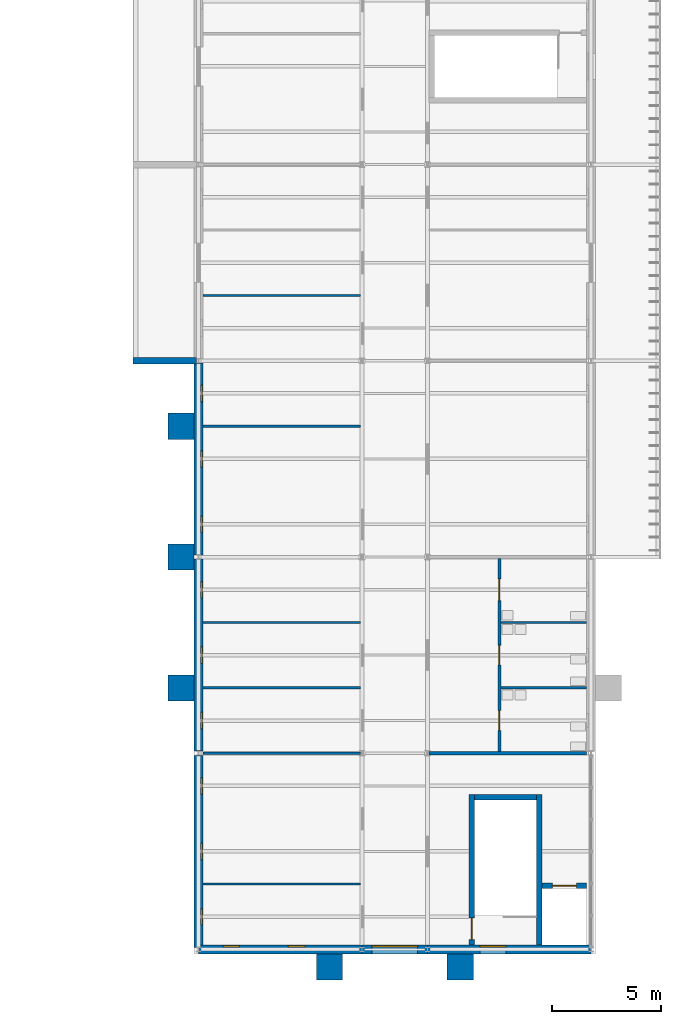
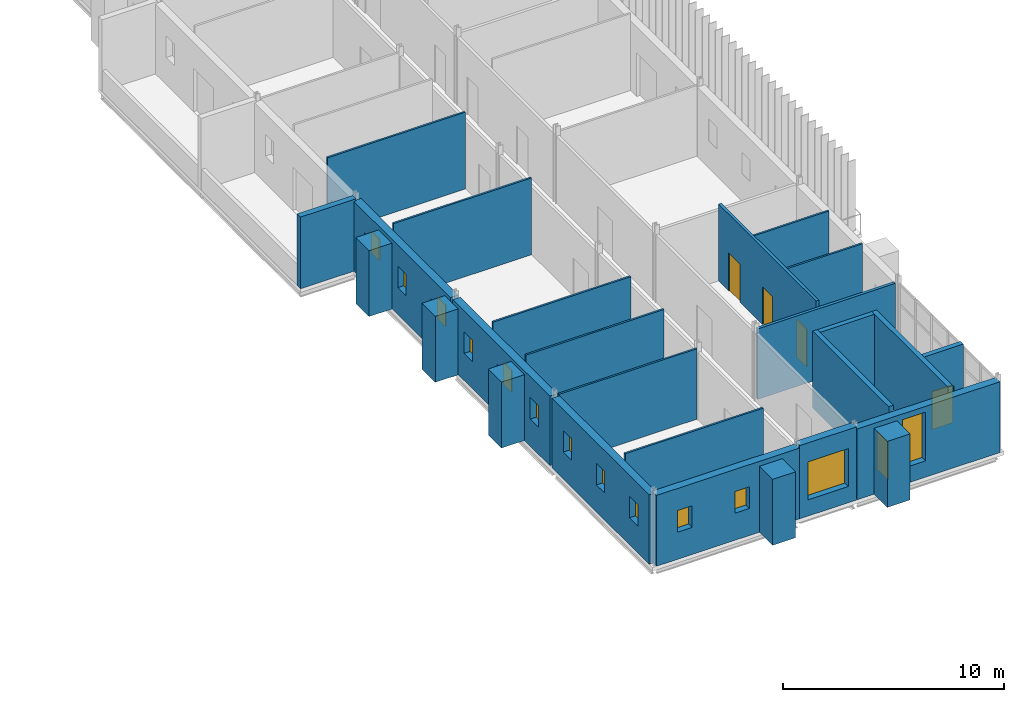
# One storey, part 90 of 131: 26 walls, 13 windows, 5 doors, 18 openings.
"""IFC4 building model written with IfcOpenShell, lengths in metres."""

from ifc_helpers import new_model, si_unit, direction, frame, frame_2d, origin, place, context, subcontext, project, spatial, rectangle, extrude, material, layer, layer_set, type_object, element, fill, save


model = new_model("IFC4")

# Units and contexts
model_context = context("Model", 3, precision=1e-05, world=origin(), true_north=direction((0.0, 1.0)))
body_context = subcontext(model_context, "Body", "Model", "MODEL_VIEW")
ifc_project = project(units=[si_unit("LENGTHUNIT", "METRE"), si_unit("AREAUNIT", "SQUARE_METRE"), si_unit("VOLUMEUNIT", "CUBIC_METRE"), si_unit("PLANEANGLEUNIT", "RADIAN"), si_unit("MASSUNIT", "GRAM", prefix="KILO")], contexts=[model_context])

# Site, building, storey
site_placement = place(None, origin())
site = spatial("IfcSite", under=ifc_project, at=site_placement, CompositionType="ELEMENT")
building_placement = place(site_placement, origin())
building = spatial("IfcBuilding", under=site, at=building_placement, Name="Golden Quay Civic Hall", CompositionType="ELEMENT")
storey_placement = place(building_placement, frame((0.0, 0.0, 9.89990234375)))
storey = spatial("IfcBuildingStorey", under=building, at=storey_placement, Name="L02", CompositionType="ELEMENT", Elevation=9.89990234375)

# Wall, openings, windows
ifc_material_1 = material(Name="Brick, dark clay facing", Category="masonry")
ifc_layer_1 = layer(ifc_material_1, 0.39990234375)
ifc_layer_set_1 = layer_set([ifc_layer_1], Name="Brick external wall 400")
wall_type_1 = type_object("IfcWallType", Name="Brick external wall 400", PredefinedType="STANDARD", material=ifc_layer_set_1)
wall_1_placement = place(storey_placement, frame((153.0, -8.905029296875, 0.0), z_axis=(0.0, 0.0, 1.0), x_axis=(0.0, 1.0, 0.0)))
wall_1 = element("IfcWall", 1, at=wall_1_placement, inside=storey, type_object=wall_type_1, Name="Brick external wall 400 L02 11", PredefinedType="STANDARD", context=body_context, shape_type="SweptSolid", body=[
    extrude(rectangle(XDim=8.81005859375, YDim=0.39990234375, at=frame_2d((4.405029296875, 0.0))), origin(), (0.0, 0.0, 1.0), 3.85009765625),
])
opening_1_placement = place(wall_1_placement, frame((1.030029296875, 0.0, 1.5)))
opening_1 = element("IfcOpeningElement", 2, at=opening_1_placement, cuts=wall_1, Name="Opening WN11", PredefinedType="OPENING", context=body_context, shape_type="SweptSolid", body=[
    extrude(rectangle(XDim=0.75, YDim=1.199951171875, at=frame_2d((0.375, 0.60009765625))), frame((0.0, 0.2099609375, 0.0), z_axis=(0.0, -1.0, 0.0), x_axis=(1.0, 0.0, 0.0)), (0.0, 0.0, 1.0), 0.419921875),
])
opening_2_placement = place(wall_1_placement, frame((4.030029296875, 0.0, 1.5)))
opening_2 = element("IfcOpeningElement", 3, at=opening_2_placement, cuts=wall_1, Name="Opening WN11", PredefinedType="OPENING", context=body_context, shape_type="SweptSolid", body=[
    extrude(rectangle(XDim=0.75, YDim=1.199951171875, at=frame_2d((0.375, 0.60009765625))), frame((0.0, 0.2099609375, 0.0), z_axis=(0.0, -1.0, 0.0), x_axis=(1.0, 0.0, 0.0)), (0.0, 0.0, 1.0), 0.419921875),
])
opening_3_placement = place(wall_1_placement, frame((7.030029296875, 0.0, 1.5)))
opening_3 = element("IfcOpeningElement", 4, at=opening_3_placement, cuts=wall_1, Name="Opening WN11", PredefinedType="OPENING", context=body_context, shape_type="SweptSolid", body=[
    extrude(rectangle(XDim=0.75, YDim=1.199951171875, at=frame_2d((0.375, 0.60009765625))), frame((0.0, 0.2099609375, 0.0), z_axis=(0.0, -1.0, 0.0), x_axis=(1.0, 0.0, 0.0)), (0.0, 0.0, 1.0), 0.419921875),
])
ifc_material_2 = material(Name="Aluminium frame, double glazed", Category="aluminium")
window_type_1 = type_object("IfcWindowType", Name="Attic pair window 750 x 1200", PartitioningType="SINGLE_PANEL", PredefinedType="WINDOW", material=ifc_material_2)
window_1_placement = place(opening_1_placement, origin())
window_1 = element("IfcWindow", 5, at=window_1_placement, inside=storey, type_object=window_type_1, Name="Attic pair window 750 x 1200 L02 1", OverallHeight=1.199951171875, OverallWidth=0.75, PartitioningType="SINGLE_PANEL", PredefinedType="WINDOW", context=body_context, shape_type="SweptSolid", body=[
    extrude(rectangle(XDim=0.75, YDim=1.199951171875, at=frame_2d((0.375, 0.60009765625))), frame((0.0, -0.119873046875, 0.0), z_axis=(0.0, -1.0, 0.0), x_axis=(1.0, 0.0, 0.0)), (0.0, 0.0, 1.0), 0.06005859375),
])
fill(opening_1, window_1)
window_2_placement = place(opening_2_placement, origin())
window_2 = element("IfcWindow", 6, at=window_2_placement, inside=storey, type_object=window_type_1, Name="Attic pair window 750 x 1200 L02 2", OverallHeight=1.199951171875, OverallWidth=0.75, PartitioningType="SINGLE_PANEL", PredefinedType="WINDOW", context=body_context, shape_type="SweptSolid", body=[
    extrude(rectangle(XDim=0.75, YDim=1.199951171875, at=frame_2d((0.375, 0.60009765625))), frame((0.0, -0.119873046875, 0.0), z_axis=(0.0, -1.0, 0.0), x_axis=(1.0, 0.0, 0.0)), (0.0, 0.0, 1.0), 0.06005859375),
])
fill(opening_2, window_2)
window_3_placement = place(opening_3_placement, origin())
window_3 = element("IfcWindow", 7, at=window_3_placement, inside=storey, type_object=window_type_1, Name="Attic pair window 750 x 1200 L02 3", OverallHeight=1.199951171875, OverallWidth=0.75, PartitioningType="SINGLE_PANEL", PredefinedType="WINDOW", context=body_context, shape_type="SweptSolid", body=[
    extrude(rectangle(XDim=0.75, YDim=1.199951171875, at=frame_2d((0.375, 0.60009765625))), frame((0.0, -0.119873046875, 0.0), z_axis=(0.0, -1.0, 0.0), x_axis=(1.0, 0.0, 0.0)), (0.0, 0.0, 1.0), 0.06005859375),
])
fill(opening_3, window_3)

wall_2_placement = place(storey_placement, frame((153.0, 0.094970703125, 0.0), z_axis=(0.0, 0.0, 1.0), x_axis=(0.0, 1.0, 0.0)))
wall_2 = element("IfcWall", 8, at=wall_2_placement, inside=storey, type_object=wall_type_1, Name="Brick external wall 400 L02 12", PredefinedType="STANDARD", context=body_context, shape_type="SweptSolid", body=[
    extrude(rectangle(XDim=8.81005859375, YDim=0.39990234375, at=frame_2d((4.405029296875, 0.0))), origin(), (0.0, 0.0, 1.0), 3.85009765625),
])
opening_4_placement = place(wall_2_placement, frame((1.030029296875, 0.0, 1.5)))
opening_4 = element("IfcOpeningElement", 9, at=opening_4_placement, cuts=wall_2, Name="Opening WN11", PredefinedType="OPENING", context=body_context, shape_type="SweptSolid", body=[
    extrude(rectangle(XDim=0.75, YDim=1.199951171875, at=frame_2d((0.375, 0.60009765625))), frame((0.0, 0.2099609375, 0.0), z_axis=(0.0, -1.0, 0.0), x_axis=(1.0, 0.0, 0.0)), (0.0, 0.0, 1.0), 0.419921875),
])
opening_5_placement = place(wall_2_placement, frame((4.030029296875, 0.0, 1.5)))
opening_5 = element("IfcOpeningElement", 10, at=opening_5_placement, cuts=wall_2, Name="Opening WN11", PredefinedType="OPENING", context=body_context, shape_type="SweptSolid", body=[
    extrude(rectangle(XDim=0.75, YDim=1.199951171875, at=frame_2d((0.375, 0.60009765625))), frame((0.0, 0.2099609375, 0.0), z_axis=(0.0, -1.0, 0.0), x_axis=(1.0, 0.0, 0.0)), (0.0, 0.0, 1.0), 0.419921875),
])
opening_6_placement = place(wall_2_placement, frame((7.030029296875, 0.0, 1.5)))
opening_6 = element("IfcOpeningElement", 11, at=opening_6_placement, cuts=wall_2, Name="Opening WN11", PredefinedType="OPENING", context=body_context, shape_type="SweptSolid", body=[
    extrude(rectangle(XDim=0.75, YDim=1.199951171875, at=frame_2d((0.375, 0.60009765625))), frame((0.0, 0.2099609375, 0.0), z_axis=(0.0, -1.0, 0.0), x_axis=(1.0, 0.0, 0.0)), (0.0, 0.0, 1.0), 0.419921875),
])
window_4_placement = place(opening_4_placement, origin())
window_4 = element("IfcWindow", 12, at=window_4_placement, inside=storey, type_object=window_type_1, Name="Attic pair window 750 x 1200 L02 4", OverallHeight=1.199951171875, OverallWidth=0.75, PartitioningType="SINGLE_PANEL", PredefinedType="WINDOW", context=body_context, shape_type="SweptSolid", body=[
    extrude(rectangle(XDim=0.75, YDim=1.199951171875, at=frame_2d((0.375, 0.60009765625))), frame((0.0, -0.119873046875, 0.0), z_axis=(0.0, -1.0, 0.0), x_axis=(1.0, 0.0, 0.0)), (0.0, 0.0, 1.0), 0.06005859375),
])
fill(opening_4, window_4)
window_5_placement = place(opening_5_placement, origin())
window_5 = element("IfcWindow", 13, at=window_5_placement, inside=storey, type_object=window_type_1, Name="Attic pair window 750 x 1200 L02 5", OverallHeight=1.199951171875, OverallWidth=0.75, PartitioningType="SINGLE_PANEL", PredefinedType="WINDOW", context=body_context, shape_type="SweptSolid", body=[
    extrude(rectangle(XDim=0.75, YDim=1.199951171875, at=frame_2d((0.375, 0.60009765625))), frame((0.0, -0.119873046875, 0.0), z_axis=(0.0, -1.0, 0.0), x_axis=(1.0, 0.0, 0.0)), (0.0, 0.0, 1.0), 0.06005859375),
])
fill(opening_5, window_5)
window_6_placement = place(opening_6_placement, origin())
window_6 = element("IfcWindow", 14, at=window_6_placement, inside=storey, type_object=window_type_1, Name="Attic pair window 750 x 1200 L02 6", OverallHeight=1.199951171875, OverallWidth=0.75, PartitioningType="SINGLE_PANEL", PredefinedType="WINDOW", context=body_context, shape_type="SweptSolid", body=[
    extrude(rectangle(XDim=0.75, YDim=1.199951171875, at=frame_2d((0.375, 0.60009765625))), frame((0.0, -0.119873046875, 0.0), z_axis=(0.0, -1.0, 0.0), x_axis=(1.0, 0.0, 0.0)), (0.0, 0.0, 1.0), 0.06005859375),
])
fill(opening_6, window_6)

wall_3_placement = place(storey_placement, frame((153.0, 9.094970703125, 0.0), z_axis=(0.0, 0.0, 1.0), x_axis=(0.0, 1.0, 0.0)))
wall_3 = element("IfcWall", 15, at=wall_3_placement, inside=storey, type_object=wall_type_1, Name="Brick external wall 400 L02 13", PredefinedType="STANDARD", context=body_context, shape_type="SweptSolid", body=[
    extrude(rectangle(XDim=8.81005859375, YDim=0.39990234375, at=frame_2d((4.405029296875, 0.0))), origin(), (0.0, 0.0, 1.0), 3.85009765625),
])
opening_7_placement = place(wall_3_placement, frame((1.030029296875, 0.0, 1.5)))
opening_7 = element("IfcOpeningElement", 16, at=opening_7_placement, cuts=wall_3, Name="Opening WN11", PredefinedType="OPENING", context=body_context, shape_type="SweptSolid", body=[
    extrude(rectangle(XDim=0.75, YDim=1.199951171875, at=frame_2d((0.375, 0.60009765625))), frame((0.0, 0.2099609375, 0.0), z_axis=(0.0, -1.0, 0.0), x_axis=(1.0, 0.0, 0.0)), (0.0, 0.0, 1.0), 0.419921875),
])
opening_8_placement = place(wall_3_placement, frame((4.030029296875, 0.0, 1.5)))
opening_8 = element("IfcOpeningElement", 17, at=opening_8_placement, cuts=wall_3, Name="Opening WN11", PredefinedType="OPENING", context=body_context, shape_type="SweptSolid", body=[
    extrude(rectangle(XDim=0.75, YDim=1.199951171875, at=frame_2d((0.375, 0.60009765625))), frame((0.0, 0.2099609375, 0.0), z_axis=(0.0, -1.0, 0.0), x_axis=(1.0, 0.0, 0.0)), (0.0, 0.0, 1.0), 0.419921875),
])
opening_9_placement = place(wall_3_placement, frame((7.030029296875, 0.0, 1.5)))
opening_9 = element("IfcOpeningElement", 18, at=opening_9_placement, cuts=wall_3, Name="Opening WN11", PredefinedType="OPENING", context=body_context, shape_type="SweptSolid", body=[
    extrude(rectangle(XDim=0.75, YDim=1.199951171875, at=frame_2d((0.375, 0.60009765625))), frame((0.0, 0.2099609375, 0.0), z_axis=(0.0, -1.0, 0.0), x_axis=(1.0, 0.0, 0.0)), (0.0, 0.0, 1.0), 0.419921875),
])
window_7_placement = place(opening_7_placement, origin())
window_7 = element("IfcWindow", 19, at=window_7_placement, inside=storey, type_object=window_type_1, Name="Attic pair window 750 x 1200 L02 7", OverallHeight=1.199951171875, OverallWidth=0.75, PartitioningType="SINGLE_PANEL", PredefinedType="WINDOW", context=body_context, shape_type="SweptSolid", body=[
    extrude(rectangle(XDim=0.75, YDim=1.199951171875, at=frame_2d((0.375, 0.60009765625))), frame((0.0, -0.119873046875, 0.0), z_axis=(0.0, -1.0, 0.0), x_axis=(1.0, 0.0, 0.0)), (0.0, 0.0, 1.0), 0.06005859375),
])
fill(opening_7, window_7)
window_8_placement = place(opening_8_placement, origin())
window_8 = element("IfcWindow", 20, at=window_8_placement, inside=storey, type_object=window_type_1, Name="Attic pair window 750 x 1200 L02 8", OverallHeight=1.199951171875, OverallWidth=0.75, PartitioningType="SINGLE_PANEL", PredefinedType="WINDOW", context=body_context, shape_type="SweptSolid", body=[
    extrude(rectangle(XDim=0.75, YDim=1.199951171875, at=frame_2d((0.375, 0.60009765625))), frame((0.0, -0.119873046875, 0.0), z_axis=(0.0, -1.0, 0.0), x_axis=(1.0, 0.0, 0.0)), (0.0, 0.0, 1.0), 0.06005859375),
])
fill(opening_8, window_8)
window_9_placement = place(opening_9_placement, origin())
window_9 = element("IfcWindow", 21, at=window_9_placement, inside=storey, type_object=window_type_1, Name="Attic pair window 750 x 1200 L02 9", OverallHeight=1.199951171875, OverallWidth=0.75, PartitioningType="SINGLE_PANEL", PredefinedType="WINDOW", context=body_context, shape_type="SweptSolid", body=[
    extrude(rectangle(XDim=0.75, YDim=1.199951171875, at=frame_2d((0.375, 0.60009765625))), frame((0.0, -0.119873046875, 0.0), z_axis=(0.0, -1.0, 0.0), x_axis=(1.0, 0.0, 0.0)), (0.0, 0.0, 1.0), 0.06005859375),
])
fill(opening_9, window_9)

wall_4_placement = place(storey_placement, frame((160.49169921875, -9.0, 0.0), z_axis=(0.0, 0.0, 1.0), x_axis=(-1.0, 0.0, 0.0)))
wall_4 = element("IfcWall", 22, at=wall_4_placement, inside=storey, type_object=wall_type_1, Name="Brick external wall 400 L02 24", PredefinedType="STANDARD", context=body_context, shape_type="SweptSolid", body=[
    extrude(rectangle(XDim=7.4833984375, YDim=0.39990234375, at=frame_2d((3.74169921875, 0.0))), origin(), (0.0, 0.0, 1.0), 3.920166015625),
])
opening_10_placement = place(wall_4_placement, frame((5.61669921875, 0.0, 1.5)))
opening_10 = element("IfcOpeningElement", 23, at=opening_10_placement, cuts=wall_4, Name="Opening WN11", PredefinedType="OPENING", context=body_context, shape_type="SweptSolid", body=[
    extrude(rectangle(XDim=0.75, YDim=1.199951171875, at=frame_2d((0.375, 0.60009765625))), frame((0.0, 0.2099609375, 0.0), z_axis=(0.0, -1.0, 0.0), x_axis=(1.0, 0.0, 0.0)), (0.0, 0.0, 1.0), 0.419921875),
])
opening_11_placement = place(wall_4_placement, frame((2.61669921875, 0.0, 1.5)))
opening_11 = element("IfcOpeningElement", 24, at=opening_11_placement, cuts=wall_4, Name="Opening WN11", PredefinedType="OPENING", context=body_context, shape_type="SweptSolid", body=[
    extrude(rectangle(XDim=0.75, YDim=1.199951171875, at=frame_2d((0.375, 0.60009765625))), frame((0.0, 0.2099609375, 0.0), z_axis=(0.0, -1.0, 0.0), x_axis=(1.0, 0.0, 0.0)), (0.0, 0.0, 1.0), 0.419921875),
])
window_10_placement = place(opening_10_placement, origin())
window_10 = element("IfcWindow", 25, at=window_10_placement, inside=storey, type_object=window_type_1, Name="Attic pair window 750 x 1200 L02 29", OverallHeight=1.199951171875, OverallWidth=0.75, PartitioningType="SINGLE_PANEL", PredefinedType="WINDOW", context=body_context, shape_type="SweptSolid", body=[
    extrude(rectangle(XDim=0.75, YDim=1.199951171875, at=frame_2d((0.375, 0.60009765625))), frame((0.0, -0.119873046875, 0.0), z_axis=(0.0, -1.0, 0.0), x_axis=(1.0, 0.0, 0.0)), (0.0, 0.0, 1.0), 0.06005859375),
])
fill(opening_10, window_10)
window_11_placement = place(opening_11_placement, origin())
window_11 = element("IfcWindow", 26, at=window_11_placement, inside=storey, type_object=window_type_1, Name="Attic pair window 750 x 1200 L02 30", OverallHeight=1.199951171875, OverallWidth=0.75, PartitioningType="SINGLE_PANEL", PredefinedType="WINDOW", context=body_context, shape_type="SweptSolid", body=[
    extrude(rectangle(XDim=0.75, YDim=1.199951171875, at=frame_2d((0.375, 0.60009765625))), frame((0.0, -0.119873046875, 0.0), z_axis=(0.0, -1.0, 0.0), x_axis=(1.0, 0.0, 0.0)), (0.0, 0.0, 1.0), 0.06005859375),
])
fill(opening_11, window_11)

# Wall, opening, window
wall_5_placement = place(storey_placement, frame((163.49169921875, -9.0, 0.0), z_axis=(0.0, 0.0, 1.0), x_axis=(-1.0, 0.0, 0.0)))
wall_5 = element("IfcWall", 27, at=wall_5_placement, inside=storey, type_object=wall_type_1, Name="Brick external wall 400 L02 25", PredefinedType="STANDARD", context=body_context, shape_type="SweptSolid", body=[
    extrude(rectangle(XDim=2.9833984375, YDim=0.39990234375, at=frame_2d((1.49169921875, 0.0))), origin(), (0.0, 0.0, 1.0), 4.050048828125),
])
opening_12_placement = place(wall_5_placement, frame((0.441650390625, 0.0, 0.89990234375)))
opening_12 = element("IfcOpeningElement", 28, at=opening_12_placement, cuts=wall_5, Name="Opening WN2", PredefinedType="OPENING", context=body_context, shape_type="SweptSolid", body=[
    extrude(rectangle(XDim=2.10009765625, YDim=2.10009765625, at=frame_2d((1.050048828125, 1.050048828125))), frame((0.0, 0.2099609375, 0.0), z_axis=(0.0, -1.0, 0.0), x_axis=(1.0, 0.0, 0.0)), (0.0, 0.0, 1.0), 0.419921875),
])
ifc_material_3 = material(Name="Aluminium frame, double glazed", Category="aluminium")
window_type_2 = type_object("IfcWindowType", Name="Corridor end window 2100 x 2100", PartitioningType="SINGLE_PANEL", PredefinedType="WINDOW", material=ifc_material_3)
window_12_placement = place(opening_12_placement, origin())
window_12 = element("IfcWindow", 29, at=window_12_placement, inside=storey, type_object=window_type_2, Name="Corridor end window 2100 x 2100 L02 6", OverallHeight=2.10009765625, OverallWidth=2.10009765625, PartitioningType="SINGLE_PANEL", PredefinedType="WINDOW", context=body_context, shape_type="SweptSolid", body=[
    extrude(rectangle(XDim=2.10009765625, YDim=2.10009765625, at=frame_2d((1.050048828125, 1.050048828125))), frame((0.0, -0.119873046875, 0.0), z_axis=(0.0, -1.0, 0.0), x_axis=(1.0, 0.0, 0.0)), (0.0, 0.0, 1.0), 0.06005859375),
])
fill(opening_12, window_12)

ifc_material_4 = material(Name="Brick, dark clay facing", Category="masonry")
ifc_layer_2 = layer(ifc_material_4, 0.39990234375)
ifc_layer_set_2 = layer_set([ifc_layer_2], Name="Brick external wall 400 fire EI 60")
wall_type_2 = type_object("IfcWallType", Name="Brick external wall 400 fire EI 60", PredefinedType="STANDARD", material=ifc_layer_set_2)
wall_6_placement = place(storey_placement, frame((170.99169921875, -9.0, 0.0), z_axis=(0.0, 0.0, 1.0), x_axis=(-1.0, 0.0, 0.0)))
wall_6 = element("IfcWall", 30, at=wall_6_placement, inside=storey, type_object=wall_type_2, Name="Brick external wall 400 fire EI 60 L02 5", PredefinedType="STANDARD", context=body_context, shape_type="SweptSolid", body=[
    extrude(rectangle(XDim=7.4833984375, YDim=0.39990234375, at=frame_2d((3.74169921875, 0.0))), origin(), (0.0, 0.0, 1.0), 3.920166015625),
])
opening_13_placement = place(wall_6_placement, frame((3.891845703125, 0.0, 0.89990234375)))
opening_13 = element("IfcOpeningElement", 31, at=opening_13_placement, cuts=wall_6, Name="Opening WN13", PredefinedType="OPENING", context=body_context, shape_type="SweptSolid", body=[
    extrude(rectangle(XDim=1.199951171875, YDim=2.699951171875, at=frame_2d((0.60009765625, 1.35009765625))), frame((0.0, 0.2099609375, 0.0), z_axis=(0.0, -1.0, 0.0), x_axis=(1.0, 0.0, 0.0)), (0.0, 0.0, 1.0), 0.419921875),
])
ifc_material_5 = material(Name="Aluminium frame, double glazed", Category="aluminium")
window_type_3 = type_object("IfcWindowType", Name="Stair light window 1200 x 2700", PartitioningType="SINGLE_PANEL", PredefinedType="WINDOW", material=ifc_material_5)
window_13_placement = place(opening_13_placement, origin())
window_13 = element("IfcWindow", 32, at=window_13_placement, inside=storey, type_object=window_type_3, Name="Stair light window 1200 x 2700 L02 4", OverallHeight=2.699951171875, OverallWidth=1.199951171875, PartitioningType="SINGLE_PANEL", PredefinedType="WINDOW", context=body_context, shape_type="SweptSolid", body=[
    extrude(rectangle(XDim=1.199951171875, YDim=2.699951171875, at=frame_2d((0.60009765625, 1.35009765625))), frame((0.0, -0.119873046875, 0.0), z_axis=(0.0, -1.0, 0.0), x_axis=(1.0, 0.0, 0.0)), (0.0, 0.0, 1.0), 0.06005859375),
])
fill(opening_13, window_13)

# Walls
ifc_material_6 = material(Name="Brick, dark clay facing", Category="masonry")
ifc_layer_3 = layer(ifc_material_6, 0.300048828125)
ifc_layer_set_3 = layer_set([ifc_layer_3], Name="Brick loggia wall 300")
wall_type_3 = type_object("IfcWallType", Name="Brick loggia wall 300", PredefinedType="STANDARD", material=ifc_layer_set_3)
wall_7_placement = place(storey_placement, frame((152.89990234375, 18.0, 0.0), z_axis=(0.0, 0.0, 1.0), x_axis=(-1.0, 0.0, 0.0)))
element("IfcWall", 33, at=wall_7_placement, inside=storey, type_object=wall_type_3, Name="Brick loggia wall 300 L02 6", PredefinedType="STANDARD", context=body_context, shape_type="SweptSolid", body=[
    extrude(rectangle(XDim=2.89990234375, YDim=0.300048828125, at=frame_2d((1.449951171875, 0.0))), origin(), (0.0, 0.0, 1.0), 3.97021484375),
])
ifc_material_7 = material(Name="Brick, dark clay facing", Category="masonry")
ifc_layer_4 = layer(ifc_material_7, 1.199951171875)
ifc_layer_set_4 = layer_set([ifc_layer_4], Name="Brick pilaster 1200 x 1200")
wall_type_4 = type_object("IfcWallType", Name="Brick pilaster 1200 x 1200", PredefinedType="STANDARD", material=ifc_layer_set_4)
for number, where, z_axis, x_axis, name in (
    (34, (152.199951171875, 2.39990234375, 0.0), (0.0, 0.0, 1.0), (0.0, 1.0, 0.0), "Brick pilaster 1200 x 1200 L02 6"),
    (35, (152.199951171875, 8.39990234375, 0.0), (0.0, 0.0, 1.0), (0.0, 1.0, 0.0), "Brick pilaster 1200 x 1200 L02 7"),
    (36, (152.199951171875, 14.39990234375, 0.0), (0.0, 0.0, 1.0), (0.0, 1.0, 0.0), "Brick pilaster 1200 x 1200 L02 8"),
    (37, (158.39990234375, -9.800048828125, 0.0), (0.0, 0.0, 1.0), (1.0, 0.0, 0.0), "Brick pilaster 1200 x 1200 L02 14"),
    (38, (164.39990234375, -9.800048828125, 0.0), (0.0, 0.0, 1.0), (1.0, 0.0, 0.0), "Brick pilaster 1200 x 1200 L02 15"),
):
    element("IfcWall", number, at=place(storey_placement, frame(where, z_axis=z_axis, x_axis=x_axis)), inside=storey, type_object=wall_type_4, Name=name, PredefinedType="STANDARD", context=body_context, shape_type="SweptSolid", body=[
        extrude(rectangle(XDim=1.2001953125, YDim=1.199951171875, at=frame_2d((0.60009765625, 0.0))), origin(), (0.0, 0.0, 1.0), 3.650146484375),
    ])
ifc_material_8 = material(Name="Concrete C40/50", Category="concrete")
ifc_layer_5 = layer(ifc_material_8, 0.25)
ifc_layer_set_5 = layer_set([ifc_layer_5], Name="Concrete core wall 250, Concrete C40/50")
wall_type_5 = type_object("IfcWallType", Name="Concrete core wall 250", PredefinedType="SHEAR", material=ifc_layer_set_5)
wall_8_placement = place(storey_placement, frame((168.625, -8.800048828125, 0.0), z_axis=(0.0, 0.0, 1.0), x_axis=(0.0, 1.0, 0.0)))
element("IfcWall", 39, at=wall_8_placement, inside=storey, type_object=wall_type_5, Name="Core wall EO-S-W1", PredefinedType="SHEAR", context=body_context, shape_type="SweptSolid", body=[
    extrude(rectangle(XDim=6.900146484375, YDim=0.25, at=frame_2d((3.4501953125, 0.0))), origin(), (0.0, 0.0, 1.0), 4.25),
])

# Wall, opening, door
wall_9_placement = place(storey_placement, frame((165.52490234375, -8.800048828125, 0.0), z_axis=(0.0, 0.0, 1.0), x_axis=(0.0, 1.0, 0.0)))
wall_9 = element("IfcWall", 40, at=wall_9_placement, inside=storey, type_object=wall_type_5, Name="Core wall EO-S-W2", PredefinedType="SHEAR", context=body_context, shape_type="SweptSolid", body=[
    extrude(rectangle(XDim=6.900146484375, YDim=0.25, at=frame_2d((3.4501953125, 0.0))), origin(), (0.0, 0.0, 1.0), 4.25),
])
opening_14_placement = place(wall_9_placement, frame((0.25, 0.0, 0.0)))
opening_14 = element("IfcOpeningElement", 41, at=opening_14_placement, cuts=wall_9, Name="Opening L02-D154", PredefinedType="OPENING", context=body_context, shape_type="SweptSolid", body=[
    extrude(rectangle(XDim=1.0, YDim=2.10009765625, at=frame_2d((0.5, 1.050048828125))), frame((0.0, 0.135009765625, 0.0), z_axis=(0.0, -1.0, 0.0), x_axis=(1.0, 0.0, 0.0)), (0.0, 0.0, 1.0), 0.27001953125),
])
ifc_material_9 = material(Name="Steel", Category="steel")
door_type_1 = type_object("IfcDoorType", Name="Steel fire door FD60 1000 x 2100", OperationType="SINGLE_SWING_LEFT", PredefinedType="DOOR", material=ifc_material_9)
door_1_placement = place(opening_14_placement, frame((1.0, 0.0, 0.0), z_axis=(0.0, 0.0, 1.0), x_axis=(-1.0, 0.0, 0.0)))
door_1 = element("IfcDoor", 42, at=door_1_placement, inside=storey, type_object=door_type_1, Name="Door L02-D154", OperationType="SINGLE_SWING_RIGHT", OverallHeight=2.10009765625, OverallWidth=1.0, PredefinedType="DOOR", context=body_context, shape_type="SweptSolid", body=[
    extrude(rectangle(XDim=1.0, YDim=2.10009765625, at=frame_2d((0.5, 1.050048828125))), frame((0.0, 0.025146484375, 0.0), z_axis=(0.0, -1.0, 0.0), x_axis=(1.0, 0.0, 0.0)), (0.0, 0.0, 1.0), 0.050048828125),
])
fill(opening_14, door_1)

# Wall
wall_10_placement = place(storey_placement, frame((165.64990234375, -2.02490234375, 0.0), z_axis=(0.0, 0.0, 1.0), x_axis=(1.0, 0.0, 0.0)))
element("IfcWall", 43, at=wall_10_placement, inside=storey, type_object=wall_type_5, Name="Core wall EO-S-W3", PredefinedType="SHEAR", context=body_context, shape_type="SweptSolid", body=[
    extrude(rectangle(XDim=2.85009765625, YDim=0.25, at=frame_2d((1.425048828125, 0.0))), origin(), (0.0, 0.0, 1.0), 4.25),
])

# Wall, opening, door
wall_11_placement = place(storey_placement, frame((168.75, -6.074951171875, 0.0), z_axis=(0.0, 0.0, 1.0), x_axis=(1.0, 0.0, 0.0)))
wall_11 = element("IfcWall", 44, at=wall_11_placement, inside=storey, type_object=wall_type_5, Name="Core wall EO-S-W4", PredefinedType="SHEAR", context=body_context, shape_type="SweptSolid", body=[
    extrude(rectangle(XDim=2.050048828125, YDim=0.25, at=frame_2d((1.02490234375, 0.0))), origin(), (0.0, 0.0, 1.0), 4.25),
])
opening_15_placement = place(wall_11_placement, frame((0.47509765625, 0.0, 0.0)))
opening_15 = element("IfcOpeningElement", 45, at=opening_15_placement, cuts=wall_11, Name="Opening L02-D161", PredefinedType="OPENING", context=body_context, shape_type="SweptSolid", body=[
    extrude(rectangle(XDim=1.10009765625, YDim=2.10009765625, at=frame_2d((0.550048828125, 1.050048828125))), frame((0.0, 0.135009765625, 0.0), z_axis=(0.0, -1.0, 0.0), x_axis=(1.0, 0.0, 0.0)), (0.0, 0.0, 1.0), 0.27001953125),
])
ifc_material_10 = material(Name="Steel", Category="steel")
door_type_2 = type_object("IfcDoorType", Name="Lift landing door 1100 x 2100", OperationType="SLIDING_TO_LEFT", PredefinedType="DOOR", material=ifc_material_10)
door_2_placement = place(opening_15_placement, origin())
door_2 = element("IfcDoor", 46, at=door_2_placement, inside=storey, type_object=door_type_2, Name="Lift landing door L02-D161 EO-S", OperationType="SLIDING_TO_LEFT", OverallHeight=2.10009765625, OverallWidth=1.10009765625, PredefinedType="DOOR", context=body_context, shape_type="SweptSolid", body=[
    extrude(rectangle(XDim=1.10009765625, YDim=2.10009765625, at=frame_2d((0.550048828125, 1.050048828125))), frame((0.0, 0.02490234375, 0.0), z_axis=(0.0, -1.0, 0.0), x_axis=(1.0, 0.0, 0.0)), (0.0, 0.0, 1.0), 0.050048828125),
])
fill(opening_15, door_2)

# Walls
ifc_material_11 = material(Name="Plasterboard on steel studs", Category="steel")
ifc_layer_6 = layer(ifc_material_11, 0.10009765625)
ifc_layer_set_6 = layer_set([ifc_layer_6], Name="Partition 100 stud")
wall_type_6 = type_object("IfcWallType", Name="Partition 100 stud", PredefinedType="PARTITIONING", material=ifc_layer_set_6)
wall_12_placement = place(storey_placement, frame((153.199951171875, -6.0, 0.0), z_axis=(0.0, 0.0, 1.0), x_axis=(1.0, 0.0, 0.0)))
element("IfcWall", 47, at=wall_12_placement, inside=storey, type_object=wall_type_6, Name="Partition L02-007", PredefinedType="PARTITIONING", context=body_context, shape_type="SweptSolid", body=[
    extrude(rectangle(XDim=7.22509765625, YDim=0.10009765625, at=frame_2d((3.612548828125, 0.0))), origin(), (0.0, 0.0, 1.0), 4.25),
])
wall_13_placement = place(storey_placement, frame((153.199951171875, 0.0, 0.0), z_axis=(0.0, 0.0, 1.0), x_axis=(1.0, 0.0, 0.0)))
element("IfcWall", 48, at=wall_13_placement, inside=storey, type_object=wall_type_6, Name="Partition L02-008", PredefinedType="PARTITIONING", context=body_context, shape_type="SweptSolid", body=[
    extrude(rectangle(XDim=7.22509765625, YDim=0.10009765625, at=frame_2d((3.612548828125, 0.0))), origin(), (0.0, 0.0, 1.0), 3.900146484375),
])
for number, where, z_axis, x_axis, name in (
    (49, (153.199951171875, 3.0, 0.0), (0.0, 0.0, 1.0), (1.0, 0.0, 0.0), "Partition L02-009"),
    (50, (153.199951171875, 6.0, 0.0), (0.0, 0.0, 1.0), (1.0, 0.0, 0.0), "Partition L02-010"),
    (51, (153.199951171875, 15.0, 0.0), (0.0, 0.0, 1.0), (1.0, 0.0, 0.0), "Partition L02-011"),
    (52, (153.199951171875, 21.0, 0.0), (0.0, 0.0, 1.0), (1.0, 0.0, 0.0), "Partition L02-012"),
):
    element("IfcWall", number, at=place(storey_placement, frame(where, z_axis=z_axis, x_axis=x_axis)), inside=storey, type_object=wall_type_6, Name=name, PredefinedType="PARTITIONING", context=body_context, shape_type="SweptSolid", body=[
        extrude(rectangle(XDim=7.22509765625, YDim=0.10009765625, at=frame_2d((3.612548828125, 0.0))), origin(), (0.0, 0.0, 1.0), 4.25),
    ])
for number, where, z_axis, x_axis, name in (
    (53, (166.875, 3.0, 0.0), (0.0, 0.0, 1.0), (1.0, 0.0, 0.0), "Partition L02-025"),
    (54, (166.875, 6.0, 0.0), (0.0, 0.0, 1.0), (1.0, 0.0, 0.0), "Partition L02-026"),
):
    element("IfcWall", number, at=place(storey_placement, frame(where, z_axis=z_axis, x_axis=x_axis)), inside=storey, type_object=wall_type_6, Name=name, PredefinedType="PARTITIONING", context=body_context, shape_type="SweptSolid", body=[
        extrude(rectangle(XDim=3.925048828125, YDim=0.10009765625, at=frame_2d((1.96240234375, 0.0))), origin(), (0.0, 0.0, 1.0), 4.25),
    ])
ifc_material_12 = material(Name="Plasterboard on steel studs", Category="steel")
ifc_layer_7 = layer(ifc_material_12, 0.14990234375)
ifc_layer_set_7 = layer_set([ifc_layer_7], Name="Partition 150 stud fire EI 60")
wall_type_7 = type_object("IfcWallType", Name="Partition 150 stud fire EI 60", PredefinedType="PARTITIONING", material=ifc_layer_set_7)
wall_14_placement = place(storey_placement, frame((163.574951171875, 0.0, 0.0), z_axis=(0.0, 0.0, 1.0), x_axis=(1.0, 0.0, 0.0)))
element("IfcWall", 55, at=wall_14_placement, inside=storey, type_object=wall_type_7, Name="Partition L02-021", PredefinedType="PARTITIONING", context=body_context, shape_type="SweptSolid", body=[
    extrude(rectangle(XDim=7.22509765625, YDim=0.14990234375, at=frame_2d((3.612548828125, 0.0))), origin(), (0.0, 0.0, 1.0), 3.900146484375),
])

# Wall, openings, doors
wall_15_placement = place(storey_placement, frame((166.800048828125, 0.074951171875, 0.0), z_axis=(0.0, 0.0, 1.0), x_axis=(0.0, 1.0, 0.0)))
wall_15 = element("IfcWall", 56, at=wall_15_placement, inside=storey, type_object=wall_type_7, Name="Partition L02-024", PredefinedType="PARTITIONING", context=body_context, shape_type="SweptSolid", body=[
    extrude(rectangle(XDim=8.85009765625, YDim=0.14990234375, at=frame_2d((4.425048828125, 0.0))), origin(), (0.0, 0.0, 1.0), 4.25),
])
opening_16_placement = place(wall_15_placement, frame((0.97509765625, 0.0, 0.0)))
opening_16 = element("IfcOpeningElement", 57, at=opening_16_placement, cuts=wall_15, Name="Opening L02-D151", PredefinedType="OPENING", context=body_context, shape_type="SweptSolid", body=[
    extrude(rectangle(XDim=0.89990234375, YDim=2.10009765625, at=frame_2d((0.449951171875, 1.050048828125))), frame((0.0, 0.0849609375, 0.0), z_axis=(0.0, -1.0, 0.0), x_axis=(1.0, 0.0, 0.0)), (0.0, 0.0, 1.0), 0.169921875),
])
opening_17_placement = place(wall_15_placement, frame((3.97509765625, 0.0, 0.0)))
opening_17 = element("IfcOpeningElement", 58, at=opening_17_placement, cuts=wall_15, Name="Opening L02-D152", PredefinedType="OPENING", context=body_context, shape_type="SweptSolid", body=[
    extrude(rectangle(XDim=0.89990234375, YDim=2.10009765625, at=frame_2d((0.449951171875, 1.050048828125))), frame((0.0, 0.0849609375, 0.0), z_axis=(0.0, -1.0, 0.0), x_axis=(1.0, 0.0, 0.0)), (0.0, 0.0, 1.0), 0.169921875),
])
opening_18_placement = place(wall_15_placement, frame((6.925048828125, 0.0, 0.0)))
opening_18 = element("IfcOpeningElement", 59, at=opening_18_placement, cuts=wall_15, Name="Opening L02-D153", PredefinedType="OPENING", context=body_context, shape_type="SweptSolid", body=[
    extrude(rectangle(XDim=1.0, YDim=2.10009765625, at=frame_2d((0.5, 1.050048828125))), frame((0.0, 0.0849609375, 0.0), z_axis=(0.0, -1.0, 0.0), x_axis=(1.0, 0.0, 0.0)), (0.0, 0.0, 1.0), 0.169921875),
])
ifc_material_13 = material(Name="Timber", Category="wood")
door_type_3 = type_object("IfcDoorType", Name="Timber door 1000 x 2100", OperationType="SINGLE_SWING_LEFT", PredefinedType="DOOR", material=ifc_material_13)
door_3_placement = place(opening_18_placement, frame((1.0, 0.0, 0.0), z_axis=(0.0, 0.0, 1.0), x_axis=(-1.0, 0.0, 0.0)))
door_3 = element("IfcDoor", 60, at=door_3_placement, inside=storey, type_object=door_type_3, Name="Door L02-D153", OperationType="SINGLE_SWING_RIGHT", OverallHeight=2.10009765625, OverallWidth=1.0, PredefinedType="DOOR", context=body_context, shape_type="SweptSolid", body=[
    extrude(rectangle(XDim=1.0, YDim=2.10009765625, at=frame_2d((0.5, 1.050048828125))), frame((0.0, 0.025146484375, 0.0), z_axis=(0.0, -1.0, 0.0), x_axis=(1.0, 0.0, 0.0)), (0.0, 0.0, 1.0), 0.050048828125),
])
fill(opening_18, door_3)
ifc_material_14 = material(Name="Timber", Category="wood")
door_type_4 = type_object("IfcDoorType", Name="Timber door 900 x 2100", OperationType="SINGLE_SWING_LEFT", PredefinedType="DOOR", material=ifc_material_14)
door_4_placement = place(opening_16_placement, frame((0.89990234375, 0.0, 0.0), z_axis=(0.0, 0.0, 1.0), x_axis=(-1.0, 0.0, 0.0)))
door_4 = element("IfcDoor", 61, at=door_4_placement, inside=storey, type_object=door_type_4, Name="Door L02-D151", OperationType="SINGLE_SWING_RIGHT", OverallHeight=2.10009765625, OverallWidth=0.89990234375, PredefinedType="DOOR", context=body_context, shape_type="SweptSolid", body=[
    extrude(rectangle(XDim=0.89990234375, YDim=2.10009765625, at=frame_2d((0.449951171875, 1.050048828125))), frame((0.0, 0.025146484375, 0.0), z_axis=(0.0, -1.0, 0.0), x_axis=(1.0, 0.0, 0.0)), (0.0, 0.0, 1.0), 0.050048828125),
])
fill(opening_16, door_4)
door_5_placement = place(opening_17_placement, frame((0.89990234375, 0.0, 0.0), z_axis=(0.0, 0.0, 1.0), x_axis=(-1.0, 0.0, 0.0)))
door_5 = element("IfcDoor", 62, at=door_5_placement, inside=storey, type_object=door_type_4, Name="Door L02-D152", OperationType="SINGLE_SWING_RIGHT", OverallHeight=2.10009765625, OverallWidth=0.89990234375, PredefinedType="DOOR", context=body_context, shape_type="SweptSolid", body=[
    extrude(rectangle(XDim=0.89990234375, YDim=2.10009765625, at=frame_2d((0.449951171875, 1.050048828125))), frame((0.0, 0.025146484375, 0.0), z_axis=(0.0, -1.0, 0.0), x_axis=(1.0, 0.0, 0.0)), (0.0, 0.0, 1.0), 0.050048828125),
])
fill(opening_17, door_5)

save(model, "model.ifc")
